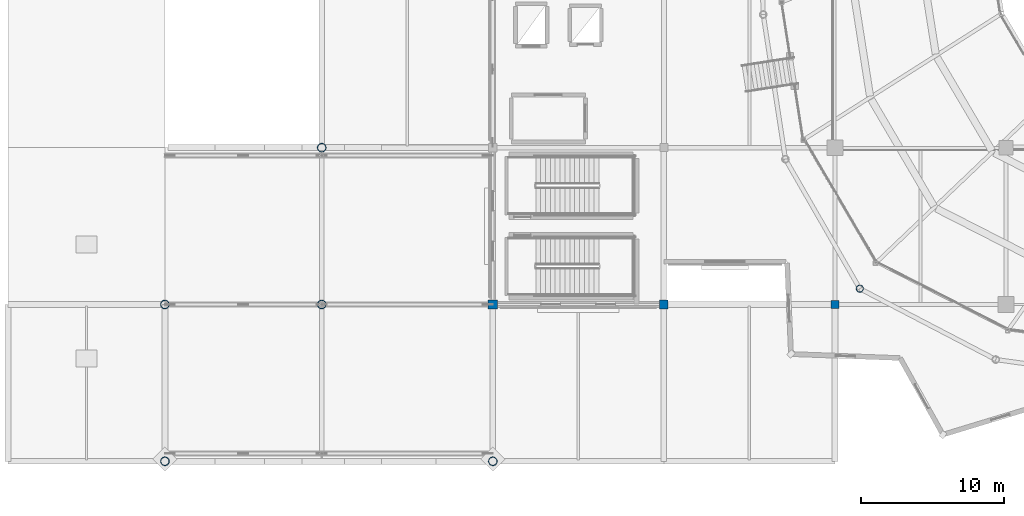
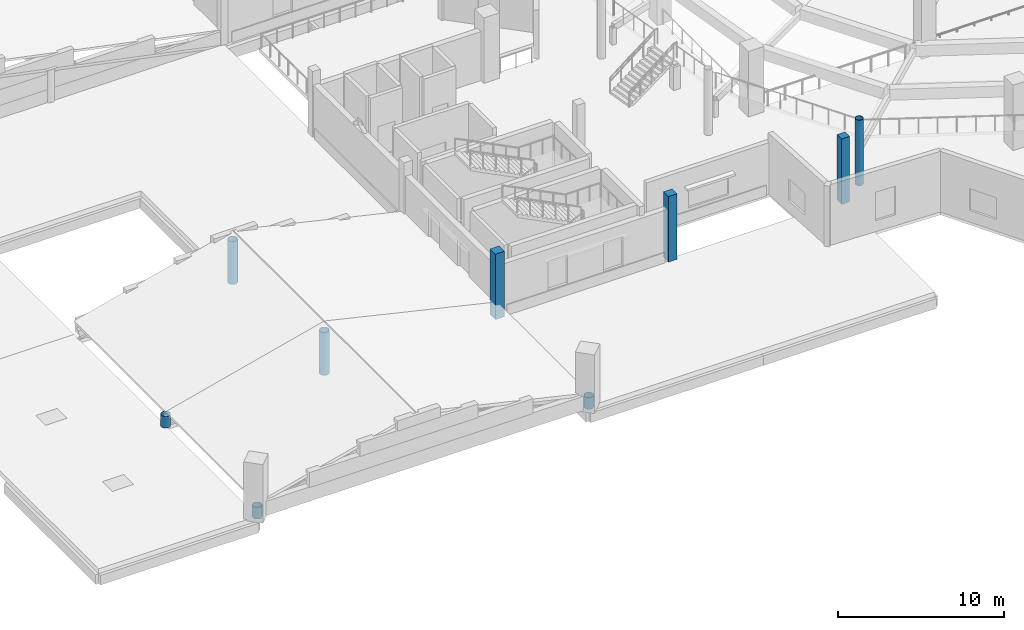
# One storey, part 1 of 77: 9 columns.
"""IFC4 building model written with IfcOpenShell, lengths in metres."""

from ifc_helpers import new_model, si_unit, direction, frame, origin, origin_2d, place, context, subcontext, project, spatial, rectangle, hollow_circle, extrude, material, material_profile, profile_set, type_object, element, save


model = new_model("IFC4")

# Units and contexts
model_context = context("Model", 3, precision=1e-05, world=origin(), true_north=direction((0.0, 1.0)))
body_context = subcontext(model_context, "Body", "Model", "MODEL_VIEW")
ifc_project = project(units=[si_unit("LENGTHUNIT", "METRE"), si_unit("AREAUNIT", "SQUARE_METRE"), si_unit("VOLUMEUNIT", "CUBIC_METRE"), si_unit("PLANEANGLEUNIT", "RADIAN"), si_unit("MASSUNIT", "GRAM", prefix="KILO")], contexts=[model_context])

# Site, building, storey
site_placement = place(None, origin())
site = spatial("IfcSite", under=ifc_project, at=site_placement, CompositionType="ELEMENT")
building_placement = place(site_placement, origin())
building = spatial("IfcBuilding", under=site, at=building_placement, Name="Luwafu Chhajja Arena", CompositionType="ELEMENT")
storey_placement = place(building_placement, frame((0.0, 0.0, 14.699951171875)))
storey = spatial("IfcBuildingStorey", under=building, at=storey_placement, Name="L03", CompositionType="ELEMENT", Elevation=14.699951171875)

# Columns
ifc_material_1 = material(Name="Concrete C35/45", Category="concrete")
ifc_material_profile_1 = material_profile(ifc_material_1, rectangle(XDim=0.550048828125, YDim=0.550048828125, at=origin_2d()), Name="RC 550x550")
ifc_profile_set_1 = profile_set([ifc_material_profile_1], Name="Concrete C35/45")
column_type_1 = type_object("IfcColumnType", Name="Gallery Column RC 550", PredefinedType="COLUMN", material=ifc_profile_set_1)
column_1_placement = place(storey_placement, frame((58.0, 11.0, 0.0), z_axis=(0.0, 0.0, 1.0), x_axis=(1.0, 0.0, 0.0)))
element("IfcColumn", 1, at=column_1_placement, inside=storey, type_object=column_type_1, Name="L03 Grid Column 6/B", PredefinedType="COLUMN", context=body_context, shape_type="SweptSolid", body=[
    extrude(rectangle(XDim=0.550048828125, YDim=0.550048828125, at=origin_2d()), origin(), (0.0, 0.0, 1.0), 4.800048828125),
])
ifc_material_profile_2 = material_profile(ifc_material_1, rectangle(XDim=0.60009765625, YDim=0.60009765625, at=origin_2d()), Name="RC 600x600")
ifc_profile_set_2 = profile_set([ifc_material_profile_2], Name="Concrete C35/45")
column_type_2 = type_object("IfcColumnType", Name="Mezzanine Column RC 600", PredefinedType="COLUMN", material=ifc_profile_set_2)
column_2_placement = place(storey_placement, frame((46.0, 11.0, 0.0), z_axis=(0.0, 0.0, 1.0), x_axis=(1.0, 0.0, 0.0)))
element("IfcColumn", 2, at=column_2_placement, inside=storey, type_object=column_type_2, Name="L03 Grid Column 5/B", PredefinedType="COLUMN", context=body_context, shape_type="SweptSolid", body=[
    extrude(rectangle(XDim=0.60009765625, YDim=0.60009765625, at=origin_2d()), origin(), (0.0, 0.0, 1.0), 4.800048828125),
])
ifc_material_2 = material(Name="Steel S355", Category="steel")
ifc_material_profile_3 = material_profile(ifc_material_2, hollow_circle(Radius=0.304931640625, WallThickness=0.02490234375, at=origin_2d()), Name="CHS 610x25")
ifc_profile_set_3 = profile_set([ifc_material_profile_3], Name="Steel S355")
column_type_3 = type_object("IfcColumnType", Name="Steel Bowl Drum Column CHS 610", PredefinedType="COLUMN", material=ifc_profile_set_3)
for number, where, z_axis, x_axis, name in (
    (3, (11.0, 0.0, 0.0), (0.0, 0.0, 1.0), (1.0, 0.0, 0.0), "Pishtaq Roof Column W0"),
    (4, (34.0, 0.0, 0.0), (0.0, 0.0, 1.0), (1.0, 0.0, 0.0), "Pishtaq Roof Column E0"),
    (5, (11.0, 11.0, 0.0), (0.0, 0.0, 1.0), (1.0, 0.0, 0.0), "Pishtaq Roof Column W1"),
):
    element("IfcColumn", number, at=place(storey_placement, frame(where, z_axis=z_axis, x_axis=x_axis)), inside=storey, type_object=column_type_3, Name=name, PredefinedType="COLUMN", context=body_context, shape_type="SweptSolid", body=[
        extrude(hollow_circle(Radius=0.304931640625, WallThickness=0.02490234375, at=origin_2d()), origin(), (0.0, 0.0, 1.0), 0.85009765625),
    ])
for number, where, z_axis, x_axis, name in (
    (6, (22.0, 11.0, 0.0), (0.0, 0.0, 1.0), (1.0, 0.0, 0.0), "Pishtaq Roof Column M1"),
    (7, (22.0, 22.0, 0.0), (0.0, 0.0, 1.0), (1.0, 0.0, 0.0), "Pishtaq Roof Column M2"),
):
    element("IfcColumn", number, at=place(storey_placement, frame(where, z_axis=z_axis, x_axis=x_axis)), inside=storey, type_object=column_type_3, Name=name, PredefinedType="COLUMN", context=body_context, shape_type="SweptSolid", body=[
        extrude(hollow_circle(Radius=0.304931640625, WallThickness=0.02490234375, at=origin_2d()), origin(), (0.0, 0.0, 1.0), 3.150146484375),
    ])
ifc_material_profile_4 = material_profile(ifc_material_2, hollow_circle(Radius=0.25390625, WallThickness=0.02001953125, at=origin_2d()), Name="CHS 508x20")
ifc_profile_set_4 = profile_set([ifc_material_profile_4], Name="Steel S355")
column_type_4 = type_object("IfcColumnType", Name="Steel Upper Drum Column CHS 508", PredefinedType="COLUMN", material=ifc_profile_set_4)
column_3_placement = place(storey_placement, frame((59.743896484375, 12.109130859375, 0.0), z_axis=(0.0, 0.0, 1.0), x_axis=(1.0, 0.0, 0.0)))
element("IfcColumn", 8, at=column_3_placement, inside=storey, type_object=column_type_4, Name="L03 Bowl Drum Column D21", PredefinedType="COLUMN", context=body_context, shape_type="SweptSolid", body=[
    extrude(hollow_circle(Radius=0.25390625, WallThickness=0.02001953125, at=origin_2d()), origin(), (0.0, 0.0, 1.0), 4.800048828125),
])
ifc_material_profile_5 = material_profile(ifc_material_1, rectangle(XDim=0.64990234375, YDim=0.64990234375, at=origin_2d()), Name="RC 650x650")
ifc_profile_set_5 = profile_set([ifc_material_profile_5], Name="Concrete C35/45")
column_type_5 = type_object("IfcColumnType", Name="Upper Wing Column RC 650", PredefinedType="COLUMN", material=ifc_profile_set_5)
column_4_placement = place(storey_placement, frame((34.0, 11.0, 0.0), z_axis=(0.0, 0.0, 1.0), x_axis=(1.0, 0.0, 0.0)))
element("IfcColumn", 9, at=column_4_placement, inside=storey, type_object=column_type_5, Name="L03 Grid Column 4/B", PredefinedType="COLUMN", context=body_context, shape_type="SweptSolid", body=[
    extrude(rectangle(XDim=0.64990234375, YDim=0.64990234375, at=origin_2d()), origin(), (0.0, 0.0, 1.0), 4.800048828125),
])

save(model, "model.ifc")
